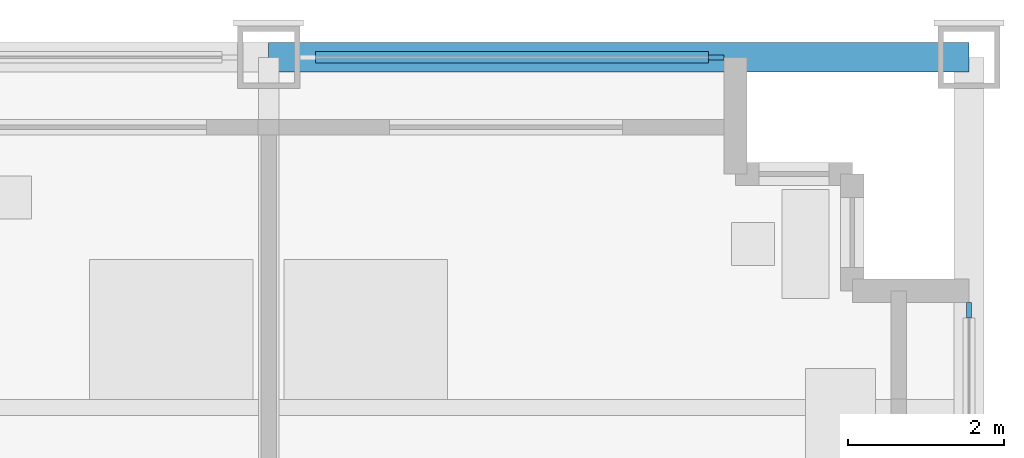
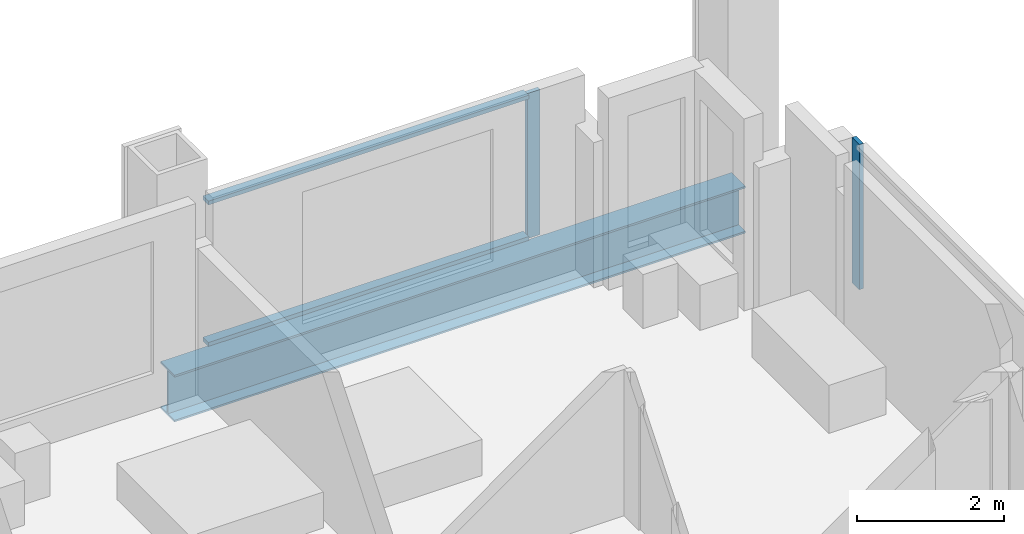
# One storey, part 7 of 16: 4 members, 1 beam, 2 elements without a shape of their own.
"""IFC4 building model written with IfcOpenShell, lengths in metres."""

from ifc_helpers import new_model, si_unit, direction, frame, origin, origin_2d, place, context, subcontext, project, spatial, rectangle, i_section, extrude, material, material_profile, profile_set, type_object, element, aggregate, save


model = new_model("IFC4")

# Units and contexts
model_context = context("Model", 3, precision=1e-05, world=origin(), true_north=direction((0.0, 1.0)))
body_context = subcontext(model_context, "Body", "Model", "MODEL_VIEW")
ifc_project = project(units=[si_unit("LENGTHUNIT", "METRE"), si_unit("AREAUNIT", "SQUARE_METRE"), si_unit("VOLUMEUNIT", "CUBIC_METRE"), si_unit("PLANEANGLEUNIT", "RADIAN"), si_unit("MASSUNIT", "GRAM", prefix="KILO")], contexts=[model_context])

# Site, building, storey
site_placement = place(None, origin())
site = spatial("IfcSite", under=ifc_project, at=site_placement, CompositionType="ELEMENT")
building_placement = place(site_placement, origin())
building = spatial("IfcBuilding", under=site, at=building_placement, Name="Loomwork Tower", CompositionType="ELEMENT")
storey_placement = place(building_placement, frame((0.0, 0.0, 114.60009765625)))
storey = spatial("IfcBuildingStorey", under=building, at=storey_placement, Name="L30", CompositionType="ELEMENT", Elevation=114.60009765625)

# Curtain wall, member
ifc_material_1 = material(Name="Aluminium curtain wall frame", Category="aluminium")
curtain_wall_type = type_object("IfcCurtainWallType", Name="Outer skin glazing hotel", PredefinedType="NOTDEFINED", material=ifc_material_1)
curtain_wall_1_placement = place(storey_placement, origin())
curtain_wall_1 = element("IfcCurtainWall", 1, at=curtain_wall_1_placement, inside=storey, type_object=curtain_wall_type, Name="Outer skin glazing hotel cw/N-36", PredefinedType="NOTDEFINED")
ifc_material_2 = material(Name="Aluminium curtain wall frame", Category="aluminium")
ifc_material_profile_1 = material_profile(ifc_material_2, rectangle(XDim=0.06494140625, YDim=0.199951171875, at=origin_2d()), Name="AL 65x200")
ifc_profile_set_1 = profile_set([ifc_material_profile_1], Name="Aluminium curtain wall frame")
member_type_1 = type_object("IfcMemberType", Name="Outer skin glazing hotel mullion", PredefinedType="MULLION", material=ifc_profile_set_1)
member_1_placement = place(storey_placement, frame((41.75, 36.0, 0.0), z_axis=(0.0, 0.0, 1.0), x_axis=(0.0, -1.0, 0.0)))
member_1 = element("IfcMember", 2, at=member_1_placement, type_object=member_type_1, Name="CW1 mullion 1", PredefinedType="MULLION", context=body_context, shape_type="SweptSolid", body=[
    extrude(rectangle(XDim=0.06494140625, YDim=0.199951171875, at=origin_2d()), origin(), (0.0, 0.0, 1.0), 2.420166015625),
])

curtain_wall_2_placement = place(storey_placement, origin())
curtain_wall_2 = element("IfcCurtainWall", 3, at=curtain_wall_2_placement, inside=storey, type_object=curtain_wall_type, Name="Outer skin glazing hotel cw/E-27", PredefinedType="NOTDEFINED")
member_2_placement = place(storey_placement, frame((45.0, 32.75, 0.0), z_axis=(0.0, 0.0, 1.0), x_axis=(-1.0, 0.0, 0.0)))
member_2 = element("IfcMember", 4, at=member_2_placement, type_object=member_type_1, Name="CW1 mullion 2", PredefinedType="MULLION", context=body_context, shape_type="SweptSolid", body=[
    extrude(rectangle(XDim=0.06494140625, YDim=0.199951171875, at=origin_2d()), origin(), (0.0, 0.0, 1.0), 2.420166015625),
])
aggregate(curtain_wall_2, [member_2])

# Member
ifc_material_3 = material(Name="Aluminium curtain wall frame", Category="aluminium")
ifc_material_profile_2 = material_profile(ifc_material_3, rectangle(XDim=0.14990234375, YDim=0.06494140625, at=origin_2d()), Name="AL 65x150")
ifc_profile_set_2 = profile_set([ifc_material_profile_2], Name="Aluminium curtain wall frame")
member_type_2 = type_object("IfcMemberType", Name="Outer skin glazing hotel transom", PredefinedType="USERDEFINED", material=ifc_profile_set_2)
member_3_placement = place(storey_placement, frame((41.64990234375, 36.0, 0.032470703125), z_axis=(-1.0, 0.0, 0.0), x_axis=(0.0, -1.0, 0.0)))
member_3 = element("IfcMember", 5, at=member_3_placement, type_object=member_type_2, Name="CW1 transom 1.1", ObjectType="TRANSOM", PredefinedType="USERDEFINED", context=body_context, shape_type="SweptSolid", body=[
    extrude(rectangle(XDim=0.14990234375, YDim=0.06494140625, at=origin_2d()), origin(), (0.0, 0.0, 1.0), 5.0498046875),
])

member_4_placement = place(storey_placement, frame((41.64990234375, 36.0, 2.3876953125), z_axis=(-1.0, 0.0, 0.0), x_axis=(0.0, -1.0, 0.0)))
member_4 = element("IfcMember", 6, at=member_4_placement, type_object=member_type_2, Name="CW1 transom 1.2", ObjectType="TRANSOM", PredefinedType="USERDEFINED", context=body_context, shape_type="SweptSolid", body=[
    extrude(rectangle(XDim=0.14990234375, YDim=0.06494140625, at=origin_2d()), origin(), (0.0, 0.0, 1.0), 5.0498046875),
])

aggregate(curtain_wall_1, [member_1, member_3, member_4])

# Beam
ifc_material_4 = material(Name="Steel ASTM A992", Category="steel")
ifc_material_profile_3 = material_profile(ifc_material_4, i_section(OverallWidth=0.381103515625, OverallDepth=0.77978515625, WebThickness=0.01806640625, FlangeThickness=0.0302734375, at=origin_2d()), Name="W30x191")
ifc_profile_set_3 = profile_set([ifc_material_profile_3], Name="Steel ASTM A992")
beam_type = type_object("IfcBeamType", Name="SPANDREL GIRDER W30x191", PredefinedType="SPANDREL", material=ifc_profile_set_3)
beam_placement = place(storey_placement, frame((36.0, 36.0, -0.590087890625), z_axis=(1.0, 0.0, 0.0), x_axis=(0.0, 1.0, 0.0)))
element("IfcBeam", 7, at=beam_placement, inside=storey, type_object=beam_type, Name="Spandrel Girder H/6-H/7 L30", PredefinedType="SPANDREL", context=body_context, shape_type="SweptSolid", body=[
    extrude(i_section(OverallWidth=0.381103515625, OverallDepth=0.77978515625, WebThickness=0.01806640625, FlangeThickness=0.0302734375, at=origin_2d()), origin(), (0.0, 0.0, 1.0), 9.0),
])

save(model, "model.ifc")
